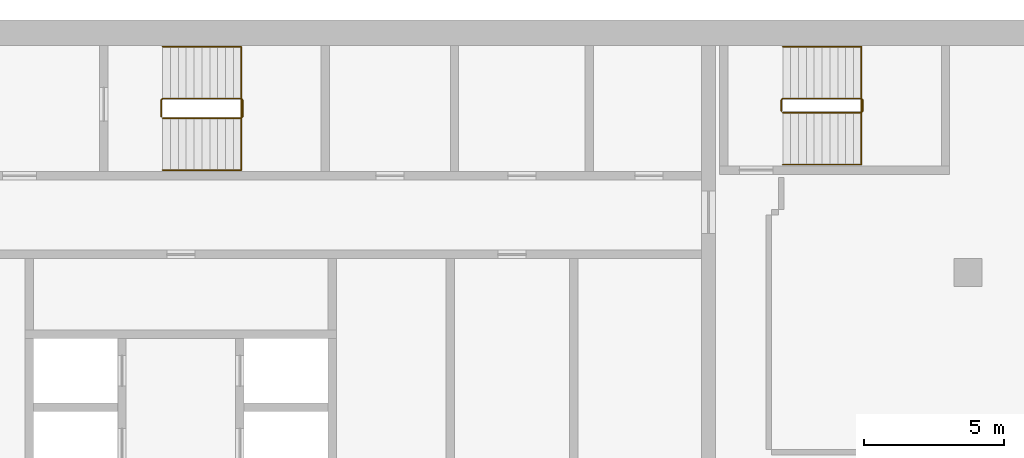
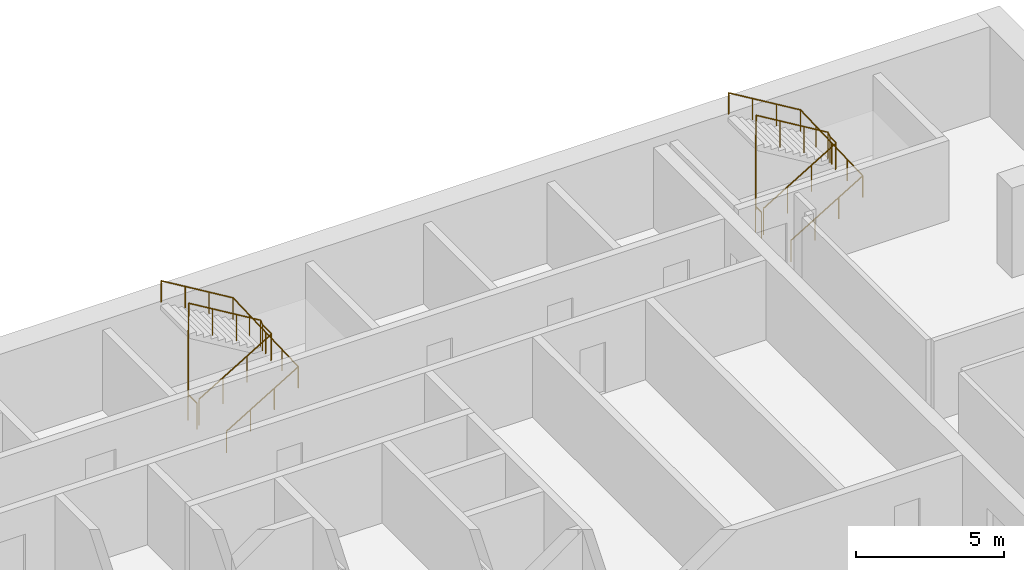
# One storey, part 16 of 16: 4 railings.
"""IFC4 building model written with IfcOpenShell, lengths in metres."""

from ifc_helpers import new_model, si_unit, direction, frame, origin, origin_2d, place, context, subcontext, project, spatial, circle, extrude, material, type_object, element, save


model = new_model("IFC4")

# Units and contexts
model_context = context("Model", 3, precision=1e-05, world=origin(), true_north=direction((0.0, 1.0)))
body_context = subcontext(model_context, "Body", "Model", "MODEL_VIEW")
ifc_project = project(units=[si_unit("LENGTHUNIT", "METRE"), si_unit("AREAUNIT", "SQUARE_METRE"), si_unit("VOLUMEUNIT", "CUBIC_METRE"), si_unit("PLANEANGLEUNIT", "RADIAN"), si_unit("MASSUNIT", "GRAM", prefix="KILO")], contexts=[model_context])

# Site, building, storey
site_placement = place(None, origin())
site = spatial("IfcSite", under=ifc_project, at=site_placement, CompositionType="ELEMENT")
building_placement = place(site_placement, origin())
building = spatial("IfcBuilding", under=site, at=building_placement, Name="Hunhe Ridgeline Campus", CompositionType="ELEMENT")
storey_placement = place(building_placement, frame((0.0, 0.0, 242.89990234375)))
storey = spatial("IfcBuildingStorey", under=building, at=storey_placement, Name="L62", CompositionType="ELEMENT", Elevation=242.89990234375)

# Railings
ifc_material_1 = material(Name="Stainless steel balustrade", Category="steel")
railing_type_1 = type_object("IfcRailingType", Name="Stair guard 1100 stainless", PredefinedType="GUARDRAIL", material=ifc_material_1)
railing_1_placement = place(storey_placement, frame((16.300048828125, 95.5, 0.168212890625)))
element("IfcRailing", 1, at=railing_1_placement, inside=storey, type_object=railing_type_1, Name="L62 stair S1 guard", PredefinedType="GUARDRAIL", context=body_context, shape_type="SweptSolid", body=[
    extrude(circle(Radius=0.02392578125, at=origin_2d()), frame((0.0, 0.0, 1.076171875), z_axis=(0.857242210791, 0.0, 0.514913383045), x_axis=(0.0, 1.0, 0.0)), (0.0, 0.0, 1.0), 3.266357421875),
    extrude(circle(Radius=0.02392578125, at=origin_2d()), frame((2.800048828125, 0.0, 2.7578125), z_axis=(0.705375805398, 0.708833529934, 0.0), x_axis=(-0.708833529934, 0.705375805398, 0.0)), (0.0, 0.0, 1.0), 0.070556640625),
    extrude(circle(Radius=0.02392578125, at=origin_2d()), frame((2.849853515625, 0.050048828125, 2.7578125), z_axis=(0.0, 1.0, 0.0), x_axis=(-1.0, 0.0, 0.0)), (0.0, 0.0, 1.0), 0.599853515625),
    extrude(circle(Radius=0.02392578125, at=origin_2d()), frame((2.849853515625, 0.64990234375, 2.7578125), z_axis=(-0.273006030465, 0.27434429532, 0.922064485248), x_axis=(-0.708833529934, -0.705375805398, 0.0)), (0.0, 0.0, 1.0), 0.182373046875),
    extrude(circle(Radius=0.02392578125, at=origin_2d()), frame((2.800048828125, 0.699951171875, 2.92626953125), z_axis=(-0.857242210791, 0.0, 0.514913383045), x_axis=(0.0, -1.0, 0.0)), (0.0, 0.0, 1.0), 3.266357421875),
    extrude(circle(Radius=0.02392578125, at=origin_2d()), frame((0.0, 0.699951171875, 4.60791015625), z_axis=(-0.013523522368, -0.013523522368, -0.999817097616), x_axis=(0.707106781187, -0.707106781187, 0.0)), (0.0, 0.0, 1.0), 3.700927734375),
    extrude(circle(Radius=0.02392578125, at=origin_2d()), frame((-0.050048828125, 0.64990234375, 0.90771484375), z_axis=(0.0, -1.0, 0.0), x_axis=(1.0, 0.0, 0.0)), (0.0, 0.0, 1.0), 0.599853515625),
    extrude(circle(Radius=0.02099609375, at=origin_2d()), origin(), (0.0, 0.0, 1.0), 1.052001953125),
    extrude(circle(Radius=0.02099609375, at=origin_2d()), frame((0.933349609375, 0.0, 0.560546875)), (0.0, 0.0, 1.0), 1.052001953125),
    extrude(circle(Radius=0.02099609375, at=origin_2d()), frame((1.86669921875, 0.0, 1.121337890625)), (0.0, 0.0, 1.0), 1.052001953125),
    extrude(circle(Radius=0.02099609375, at=origin_2d()), frame((2.800048828125, 0.0, 1.681884765625)), (0.0, 0.0, 1.0), 1.052001953125),
    extrude(circle(Radius=0.02099609375, at=origin_2d()), frame((2.849853515625, 0.050048828125, 1.681884765625)), (0.0, 0.0, 1.0), 1.052001953125),
    extrude(circle(Radius=0.02099609375, at=origin_2d()), frame((2.849853515625, 0.64990234375, 1.681884765625)), (0.0, 0.0, 1.0), 1.052001953125),
    extrude(circle(Radius=0.02099609375, at=origin_2d()), frame((2.800048828125, 0.699951171875, 1.85009765625)), (0.0, 0.0, 1.0), 1.052001953125),
    extrude(circle(Radius=0.02099609375, at=origin_2d()), frame((1.86669921875, 0.699951171875, 2.41064453125)), (0.0, 0.0, 1.0), 1.052001953125),
    extrude(circle(Radius=0.02099609375, at=origin_2d()), frame((0.933349609375, 0.699951171875, 2.971435546875)), (0.0, 0.0, 1.0), 1.052001953125),
    extrude(circle(Radius=0.02099609375, at=origin_2d()), frame((0.0, 0.699951171875, 3.531982421875)), (0.0, 0.0, 1.0), 1.052001953125),
    extrude(circle(Radius=0.02099609375, at=origin_2d()), frame((-0.012451171875, 0.6875, 2.60693359375)), (0.0, 0.0, 1.0), 1.052001953125),
    extrude(circle(Radius=0.02099609375, at=origin_2d()), frame((-0.02490234375, 0.6748046875, 1.681884765625)), (0.0, 0.0, 1.0), 1.052001953125),
    extrude(circle(Radius=0.02099609375, at=origin_2d()), frame((-0.03759765625, 0.662353515625, 0.7568359375)), (0.0, 0.0, 1.0), 1.052001953125),
    extrude(circle(Radius=0.02099609375, at=origin_2d()), frame((-0.050048828125, 0.64990234375, -0.168212890625)), (0.0, 0.0, 1.0), 1.052001953125),
    extrude(circle(Radius=0.02099609375, at=origin_2d()), frame((-0.050048828125, 0.050048828125, -0.168212890625)), (0.0, 0.0, 1.0), 1.052001953125),
])
railing_2_placement = place(storey_placement, frame((38.39990234375, 95.699951171875, 0.168212890625)))
element("IfcRailing", 2, at=railing_2_placement, inside=storey, type_object=railing_type_1, Name="L62 stair E1 guard", PredefinedType="GUARDRAIL", context=body_context, shape_type="SweptSolid", body=[
    extrude(circle(Radius=0.02392578125, at=origin_2d()), frame((0.0, 0.0, 1.076171875), z_axis=(0.857242210791, 0.0, 0.514913383045), x_axis=(0.0, 1.0, 0.0)), (0.0, 0.0, 1.0), 3.266357421875),
    extrude(circle(Radius=0.02392578125, at=origin_2d()), frame((2.800048828125, 0.0, 2.7578125), z_axis=(0.707106781187, 0.707106781187, 0.0), x_axis=(-0.707106781187, 0.707106781187, 0.0)), (0.0, 0.0, 1.0), 0.07080078125),
    extrude(circle(Radius=0.02392578125, at=origin_2d()), frame((2.85009765625, 0.050048828125, 2.7578125), z_axis=(0.0, 1.0, 0.0), x_axis=(-1.0, 0.0, 0.0)), (0.0, 0.0, 1.0), 0.39990234375),
    extrude(circle(Radius=0.02392578125, at=origin_2d()), frame((2.85009765625, 0.449951171875, 2.7578125), z_axis=(-0.274243871929, 0.274243871929, 0.92172696468), x_axis=(-0.707106781187, -0.707106781187, 0.0)), (0.0, 0.0, 1.0), 0.1826171875),
    extrude(circle(Radius=0.02392578125, at=origin_2d()), frame((2.800048828125, 0.5, 2.92626953125), z_axis=(-0.857242210791, 0.0, 0.514913383045), x_axis=(0.0, -1.0, 0.0)), (0.0, 0.0, 1.0), 3.266357421875),
    extrude(circle(Radius=0.02392578125, at=origin_2d()), frame((0.0, 0.5, 4.60791015625), z_axis=(-0.013457565943, -0.013523534403, -0.999817987404), x_axis=(0.708833529934, -0.705375805398, 0.0)), (0.0, 0.0, 1.0), 3.700927734375),
    extrude(circle(Radius=0.02392578125, at=origin_2d()), frame((-0.0498046875, 0.449951171875, 0.90771484375), z_axis=(0.0, -1.0, 0.0), x_axis=(1.0, 0.0, 0.0)), (0.0, 0.0, 1.0), 0.39990234375),
    extrude(circle(Radius=0.02099609375, at=origin_2d()), origin(), (0.0, 0.0, 1.0), 1.052001953125),
    extrude(circle(Radius=0.02099609375, at=origin_2d()), frame((0.933349609375, 0.0, 0.560546875)), (0.0, 0.0, 1.0), 1.052001953125),
    extrude(circle(Radius=0.02099609375, at=origin_2d()), frame((1.86669921875, 0.0, 1.121337890625)), (0.0, 0.0, 1.0), 1.052001953125),
    extrude(circle(Radius=0.02099609375, at=origin_2d()), frame((2.800048828125, 0.0, 1.681884765625)), (0.0, 0.0, 1.0), 1.052001953125),
    extrude(circle(Radius=0.02099609375, at=origin_2d()), frame((2.85009765625, 0.050048828125, 1.681884765625)), (0.0, 0.0, 1.0), 1.052001953125),
    extrude(circle(Radius=0.02099609375, at=origin_2d()), frame((2.85009765625, 0.449951171875, 1.681884765625)), (0.0, 0.0, 1.0), 1.052001953125),
    extrude(circle(Radius=0.02099609375, at=origin_2d()), frame((2.800048828125, 0.5, 1.85009765625)), (0.0, 0.0, 1.0), 1.052001953125),
    extrude(circle(Radius=0.02099609375, at=origin_2d()), frame((1.86669921875, 0.5, 2.41064453125)), (0.0, 0.0, 1.0), 1.052001953125),
    extrude(circle(Radius=0.02099609375, at=origin_2d()), frame((0.933349609375, 0.5, 2.971435546875)), (0.0, 0.0, 1.0), 1.052001953125),
    extrude(circle(Radius=0.02099609375, at=origin_2d()), frame((0.0, 0.5, 3.531982421875)), (0.0, 0.0, 1.0), 1.052001953125),
    extrude(circle(Radius=0.02099609375, at=origin_2d()), frame((-0.012451171875, 0.487548828125, 2.60693359375)), (0.0, 0.0, 1.0), 1.052001953125),
    extrude(circle(Radius=0.02099609375, at=origin_2d()), frame((-0.02490234375, 0.47509765625, 1.681884765625)), (0.0, 0.0, 1.0), 1.052001953125),
    extrude(circle(Radius=0.02099609375, at=origin_2d()), frame((-0.037353515625, 0.46240234375, 0.7568359375)), (0.0, 0.0, 1.0), 1.052001953125),
    extrude(circle(Radius=0.02099609375, at=origin_2d()), frame((-0.0498046875, 0.449951171875, -0.168212890625)), (0.0, 0.0, 1.0), 1.052001953125),
    extrude(circle(Radius=0.02099609375, at=origin_2d()), frame((-0.0498046875, 0.050048828125, -0.168212890625)), (0.0, 0.0, 1.0), 1.052001953125),
])
ifc_material_2 = material(Name="Stainless steel handrail", Category="steel")
railing_type_2 = type_object("IfcRailingType", Name="Stair handrail 900 stainless", PredefinedType="HANDRAIL", material=ifc_material_2)
railing_3_placement = place(storey_placement, frame((16.300048828125, 93.64990234375, 0.168212890625)))
element("IfcRailing", 3, at=railing_3_placement, inside=storey, type_object=railing_type_2, Name="L62 stair S1 handrail", PredefinedType="HANDRAIL", context=body_context, shape_type="SweptSolid", body=[
    extrude(circle(Radius=0.02392578125, at=origin_2d()), frame((0.0, 0.0, 0.8759765625), z_axis=(0.857242210791, 0.0, 0.514913383045), x_axis=(0.0, 1.0, 0.0)), (0.0, 0.0, 1.0), 3.266357421875),
    extrude(circle(Radius=0.02392578125, at=origin_2d()), frame((2.800048828125, 0.0, 2.5576171875), z_axis=(0.0, 0.999270074432, 0.038201025428), x_axis=(-1.0, 0.0, 0.0)), (0.0, 0.0, 1.0), 4.4033203125),
    extrude(circle(Radius=0.02392578125, at=origin_2d()), frame((2.800048828125, 4.400146484375, 2.72607421875), z_axis=(-0.857242210791, 0.0, 0.514913383045), x_axis=(0.0, -1.0, 0.0)), (0.0, 0.0, 1.0), 3.266357421875),
    extrude(circle(Radius=0.02099609375, at=origin_2d()), origin(), (0.0, 0.0, 1.0), 0.851806640625),
    extrude(circle(Radius=0.02099609375, at=origin_2d()), frame((0.933349609375, 0.0, 0.560546875)), (0.0, 0.0, 1.0), 0.851806640625),
    extrude(circle(Radius=0.02099609375, at=origin_2d()), frame((1.86669921875, 0.0, 1.121337890625)), (0.0, 0.0, 1.0), 0.851806640625),
    extrude(circle(Radius=0.02099609375, at=origin_2d()), frame((2.800048828125, 0.0, 1.681884765625)), (0.0, 0.0, 1.0), 0.851806640625),
    extrude(circle(Radius=0.02099609375, at=origin_2d()), frame((2.800048828125, 1.10009765625, 1.723876953125)), (0.0, 0.0, 1.0), 0.851806640625),
    extrude(circle(Radius=0.02099609375, at=origin_2d()), frame((2.800048828125, 2.2001953125, 1.76611328125)), (0.0, 0.0, 1.0), 0.851806640625),
    extrude(circle(Radius=0.02099609375, at=origin_2d()), frame((2.800048828125, 3.300048828125, 1.80810546875)), (0.0, 0.0, 1.0), 0.851806640625),
    extrude(circle(Radius=0.02099609375, at=origin_2d()), frame((2.800048828125, 4.400146484375, 1.85009765625)), (0.0, 0.0, 1.0), 0.851806640625),
    extrude(circle(Radius=0.02099609375, at=origin_2d()), frame((1.86669921875, 4.400146484375, 2.41064453125)), (0.0, 0.0, 1.0), 0.851806640625),
    extrude(circle(Radius=0.02099609375, at=origin_2d()), frame((0.933349609375, 4.400146484375, 2.971435546875)), (0.0, 0.0, 1.0), 0.851806640625),
    extrude(circle(Radius=0.02099609375, at=origin_2d()), frame((0.0, 4.400146484375, 3.531982421875)), (0.0, 0.0, 1.0), 0.851806640625),
])
railing_4_placement = place(storey_placement, frame((38.39990234375, 93.85009765625, 0.168212890625)))
element("IfcRailing", 4, at=railing_4_placement, inside=storey, type_object=railing_type_2, Name="L62 stair E1 handrail", PredefinedType="HANDRAIL", context=body_context, shape_type="SweptSolid", body=[
    extrude(circle(Radius=0.02392578125, at=origin_2d()), frame((0.0, 0.0, 0.8759765625), z_axis=(0.857242210791, 0.0, 0.514913383045), x_axis=(0.0, 1.0, 0.0)), (0.0, 0.0, 1.0), 3.266357421875),
    extrude(circle(Radius=0.02392578125, at=origin_2d()), frame((2.800048828125, 0.0, 2.5576171875), z_axis=(0.0, 0.999198916169, 0.040019069537), x_axis=(-1.0, 0.0, 0.0)), (0.0, 0.0, 1.0), 4.203369140625),
    extrude(circle(Radius=0.02392578125, at=origin_2d()), frame((2.800048828125, 4.199951171875, 2.72607421875), z_axis=(-0.857242210791, 0.0, 0.514913383045), x_axis=(0.0, -1.0, 0.0)), (0.0, 0.0, 1.0), 3.266357421875),
    extrude(circle(Radius=0.02099609375, at=origin_2d()), origin(), (0.0, 0.0, 1.0), 0.851806640625),
    extrude(circle(Radius=0.02099609375, at=origin_2d()), frame((0.933349609375, 0.0, 0.560546875)), (0.0, 0.0, 1.0), 0.851806640625),
    extrude(circle(Radius=0.02099609375, at=origin_2d()), frame((1.86669921875, 0.0, 1.121337890625)), (0.0, 0.0, 1.0), 0.851806640625),
    extrude(circle(Radius=0.02099609375, at=origin_2d()), frame((2.800048828125, 0.0, 1.681884765625)), (0.0, 0.0, 1.0), 0.851806640625),
    extrude(circle(Radius=0.02099609375, at=origin_2d()), frame((2.800048828125, 1.050048828125, 1.723876953125)), (0.0, 0.0, 1.0), 0.851806640625),
    extrude(circle(Radius=0.02099609375, at=origin_2d()), frame((2.800048828125, 2.10009765625, 1.76611328125)), (0.0, 0.0, 1.0), 0.851806640625),
    extrude(circle(Radius=0.02099609375, at=origin_2d()), frame((2.800048828125, 3.14990234375, 1.80810546875)), (0.0, 0.0, 1.0), 0.851806640625),
    extrude(circle(Radius=0.02099609375, at=origin_2d()), frame((2.800048828125, 4.199951171875, 1.85009765625)), (0.0, 0.0, 1.0), 0.851806640625),
    extrude(circle(Radius=0.02099609375, at=origin_2d()), frame((1.86669921875, 4.199951171875, 2.41064453125)), (0.0, 0.0, 1.0), 0.851806640625),
    extrude(circle(Radius=0.02099609375, at=origin_2d()), frame((0.933349609375, 4.199951171875, 2.971435546875)), (0.0, 0.0, 1.0), 0.851806640625),
    extrude(circle(Radius=0.02099609375, at=origin_2d()), frame((0.0, 4.199951171875, 3.531982421875)), (0.0, 0.0, 1.0), 0.851806640625),
])

save(model, "model.ifc")
